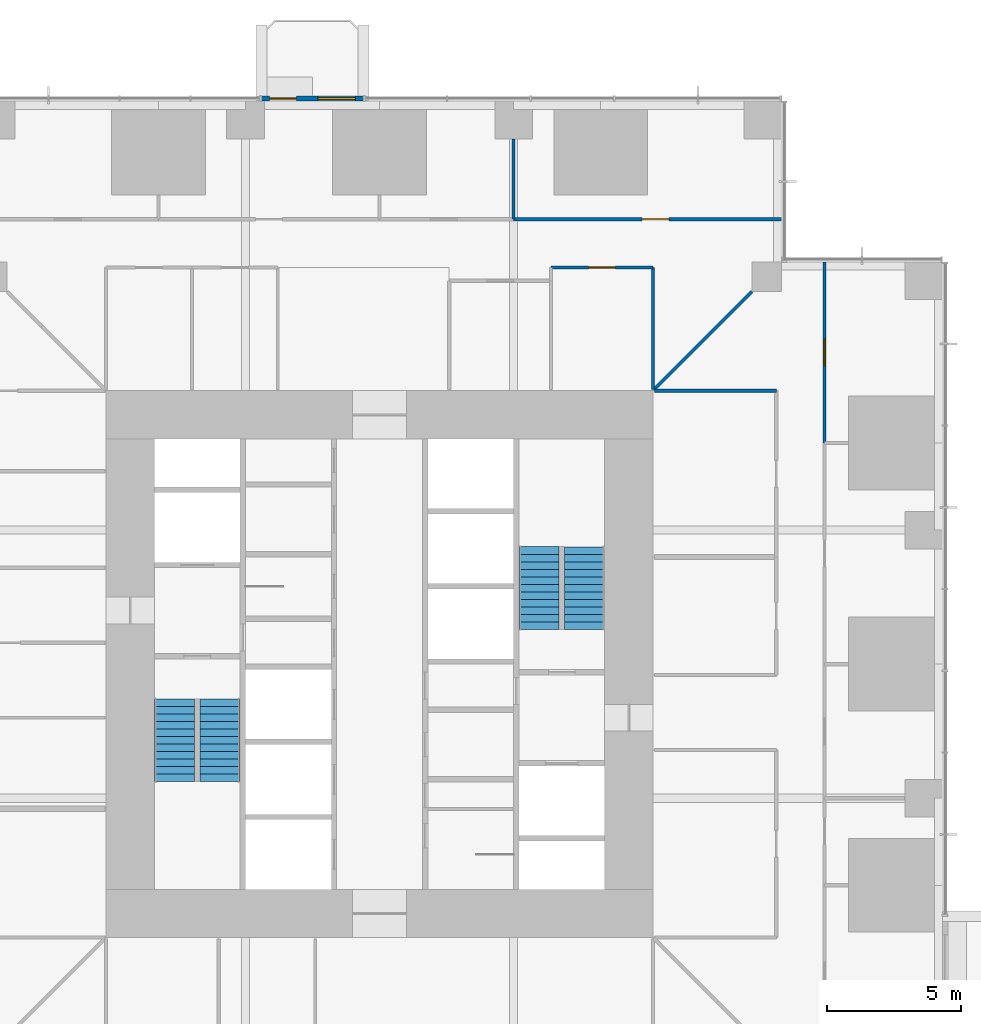
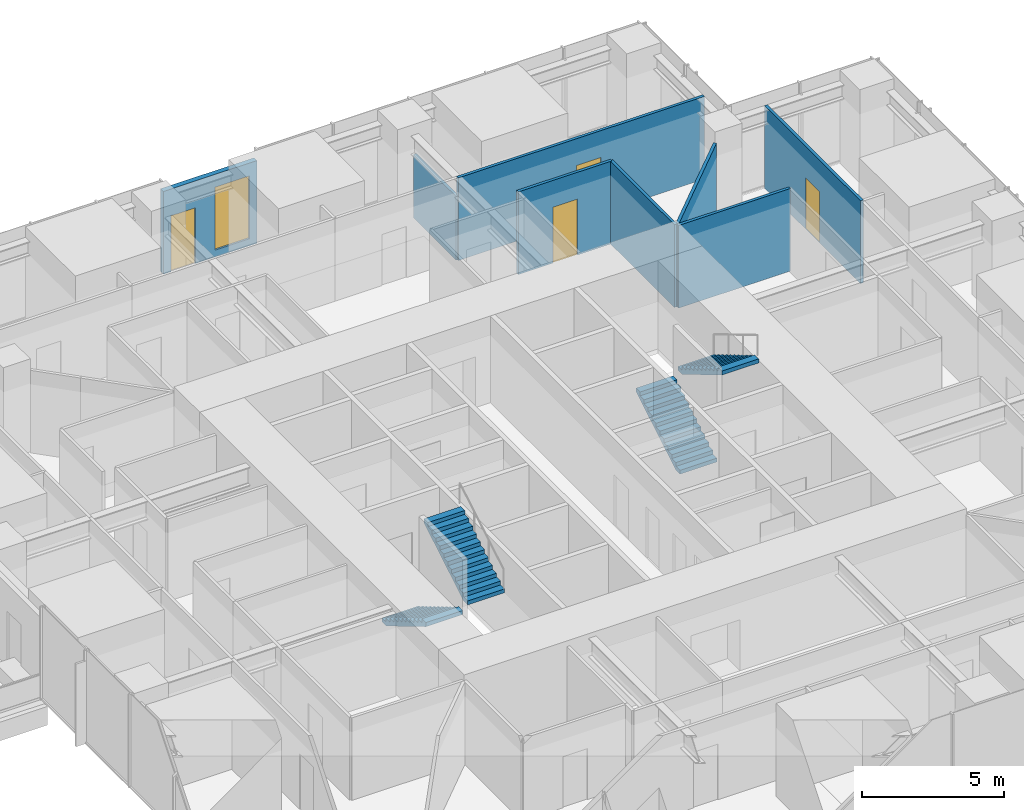
# One storey, part 13 of 17: 8 walls, 4 doors, 4 stair flights, 1 window, 5 openings, 2 elements without a shape of their own.
"""IFC4 building model written with IfcOpenShell, lengths in metres."""

from ifc_helpers import new_model, si_unit, direction, frame, frame_2d, origin, place, context, subcontext, project, spatial, polyline, rectangle, outline, extrude, material, layer, layer_set, type_object, element, fill, aggregate, save


model = new_model("IFC4")

# Units and contexts
model_context = context("Model", 3, precision=1e-05, world=origin(), true_north=direction((0.0, 1.0)))
body_context = subcontext(model_context, "Body", "Model", "MODEL_VIEW")
ifc_project = project(units=[si_unit("LENGTHUNIT", "METRE"), si_unit("AREAUNIT", "SQUARE_METRE"), si_unit("VOLUMEUNIT", "CUBIC_METRE"), si_unit("PLANEANGLEUNIT", "RADIAN"), si_unit("MASSUNIT", "GRAM", prefix="KILO")], contexts=[model_context])

# Site, building, storey
site_placement = place(None, origin())
site = spatial("IfcSite", under=ifc_project, at=site_placement, CompositionType="ELEMENT")
building_placement = place(site_placement, origin())
building = spatial("IfcBuilding", under=site, at=building_placement, Name="Svetlomir Tower", CompositionType="ELEMENT")
storey_placement = place(building_placement, frame((0.0, 0.0, 82.5)))
storey = spatial("IfcBuildingStorey", under=building, at=storey_placement, Name="L19", CompositionType="ELEMENT", Elevation=82.5)

# Wall, openings, door, window
ifc_material_1 = material(Name="Bronze anodised aluminium glazed screen", Category="aluminium")
ifc_layer_1 = layer(ifc_material_1, 0.199951171875)
ifc_layer_set_1 = layer_set([ifc_layer_1], Name="Bronze anodised aluminium glazed screen")
wall_type_1 = type_object("IfcWallType", Name="BALCONY SCREEN WALL 200", PredefinedType="USERDEFINED", material=ifc_layer_set_1)
wall_1_placement = place(storey_placement, frame((20.39990234375, 42.10009765625, 0.0), z_axis=(0.0, 0.0, 1.0), x_axis=(-1.0, 0.0, 0.0)))
wall_1 = element("IfcWall", 1, at=wall_1_placement, inside=storey, type_object=wall_type_1, Name="Balcony screen N", ObjectType="GLAZED SCREEN", PredefinedType="USERDEFINED", context=body_context, shape_type="SweptSolid", body=[
    extrude(rectangle(XDim=3.7998046875, YDim=0.199951171875, at=frame_2d((1.89990234375, 0.0))), origin(), (0.0, 0.0, 1.0), 3.550048828125),
])
opening_1_placement = place(wall_1_placement, frame((2.5, 0.0, 0.0)))
opening_1 = element("IfcOpeningElement", 2, at=opening_1_placement, cuts=wall_1, Name="Opening BD", PredefinedType="OPENING", context=body_context, shape_type="SweptSolid", body=[
    extrude(rectangle(XDim=1.0, YDim=2.39990234375, at=frame_2d((0.5, 1.199951171875))), frame((0.0, 0.10986328125, 0.0), z_axis=(0.0, -1.0, 0.0), x_axis=(1.0, 0.0, 0.0)), (0.0, 0.0, 1.0), 0.219970703125),
])
opening_2_placement = place(wall_1_placement, frame((0.300048828125, 0.0, 0.300048828125)))
opening_2 = element("IfcOpeningElement", 3, at=opening_2_placement, cuts=wall_1, Name="Opening WS2", PredefinedType="OPENING", context=body_context, shape_type="SweptSolid", body=[
    extrude(rectangle(XDim=1.39990234375, YDim=2.699951171875, at=frame_2d((0.699951171875, 1.35009765625))), frame((0.0, 0.10986328125, 0.0), z_axis=(0.0, -1.0, 0.0), x_axis=(1.0, 0.0, 0.0)), (0.0, 0.0, 1.0), 0.219970703125),
])
ifc_material_2 = material(Name="Bronze anodised aluminium glazed door", Category="aluminium")
door_type_1 = type_object("IfcDoorType", Name="BALCONY DOOR BD 1000x2400", OperationType="SINGLE_SWING_LEFT", PredefinedType="DOOR", material=ifc_material_2)
door_1_placement = place(opening_1_placement, origin())
door_1 = element("IfcDoor", 4, at=door_1_placement, inside=storey, type_object=door_type_1, Name="Balcony screen N door", OperationType="SINGLE_SWING_LEFT", OverallHeight=2.39990234375, OverallWidth=1.0, PredefinedType="DOOR", context=body_context, shape_type="SweptSolid", body=[
    extrude(rectangle(XDim=1.0, YDim=2.39990234375, at=frame_2d((0.5, 1.199951171875))), frame((0.0, 0.02490234375, 0.0), z_axis=(0.0, -1.0, 0.0), x_axis=(1.0, 0.0, 0.0)), (0.0, 0.0, 1.0), 0.050048828125),
])
fill(opening_1, door_1)
ifc_material_3 = material(Name="Bronze anodised aluminium window", Category="aluminium")
window_type = type_object("IfcWindowType", Name="SCREEN WINDOW WS2 1400x2700", PartitioningType="SINGLE_PANEL", PredefinedType="WINDOW", material=ifc_material_3)
window_placement = place(opening_2_placement, origin())
window = element("IfcWindow", 5, at=window_placement, inside=storey, type_object=window_type, Name="Balcony screen N window 1", OverallHeight=2.699951171875, OverallWidth=1.39990234375, PartitioningType="SINGLE_PANEL", PredefinedType="WINDOW", context=body_context, shape_type="SweptSolid", body=[
    extrude(rectangle(XDim=1.39990234375, YDim=2.699951171875, at=frame_2d((0.699951171875, 1.35009765625))), frame((0.0, 0.030029296875, 0.0), z_axis=(0.0, -1.0, 0.0), x_axis=(1.0, 0.0, 0.0)), (0.0, 0.0, 1.0), 0.06005859375),
])
fill(opening_2, window)

# Wall
ifc_material_4 = material(Name="Gypsum board on steel studs", Category="steel")
ifc_layer_2 = layer(ifc_material_4, 0.1201171875)
ifc_layer_set_2 = layer_set([ifc_layer_2], Name="Gypsum board on steel studs")
wall_type_2 = type_object("IfcWallType", Name="PARTITION 120", PredefinedType="PARTITIONING", material=ifc_layer_set_2)
wall_2_placement = place(storey_placement, frame((26.0, 37.60009765625, 0.0), z_axis=(0.0, 0.0, 1.0), x_axis=(0.0, 1.0, 0.0)))
element("IfcWall", 6, at=wall_2_placement, inside=storey, type_object=wall_type_2, Name="Partition L19", PredefinedType="PARTITIONING", context=body_context, shape_type="SweptSolid", body=[
    extrude(rectangle(XDim=2.989990234375, YDim=0.1201171875, at=frame_2d((1.4951171875, 0.0))), origin(), (0.0, 0.0, 1.0), 2.736083984375),
])

# Wall, opening, door
wall_3_placement = place(storey_placement, frame((26.0, 37.60009765625, 0.0), z_axis=(0.0, 0.0, 1.0), x_axis=(1.0, 0.0, 0.0)))
wall_3 = element("IfcWall", 7, at=wall_3_placement, inside=storey, type_object=wall_type_2, Name="Partition L19", PredefinedType="PARTITIONING", context=body_context, shape_type="SweptSolid", body=[
    extrude(rectangle(XDim=10.0, YDim=0.1201171875, at=frame_2d((5.0, 0.0))), origin(), (0.0, 0.0, 1.0), 3.550048828125),
])
opening_3_placement = place(wall_3_placement, frame((4.800048828125, 0.0, 0.0)))
opening_3 = element("IfcOpeningElement", 8, at=opening_3_placement, cuts=wall_3, Name="Opening DG", PredefinedType="OPENING", context=body_context, shape_type="SweptSolid", body=[
    extrude(rectangle(XDim=1.0, YDim=2.39990234375, at=frame_2d((0.5, 1.199951171875))), frame((0.0, 0.070068359375, 0.0), z_axis=(0.0, -1.0, 0.0), x_axis=(1.0, 0.0, 0.0)), (0.0, 0.0, 1.0), 0.14013671875),
])
ifc_material_5 = material(Name="Framed laminated glass door", Category="glass")
door_type_2 = type_object("IfcDoorType", Name="GLAZED DOOR DG 1000x2400", OperationType="SINGLE_SWING_LEFT", PredefinedType="DOOR", material=ifc_material_5)
door_2_placement = place(opening_3_placement, origin())
door_2 = element("IfcDoor", 9, at=door_2_placement, inside=storey, type_object=door_type_2, Name="Ring corridor 4 door 2 L19", OperationType="SINGLE_SWING_RIGHT", OverallHeight=2.39990234375, OverallWidth=1.0, PredefinedType="DOOR", context=body_context, shape_type="SweptSolid", body=[
    extrude(rectangle(XDim=1.0, YDim=2.39990234375, at=frame_2d((0.5, 1.199951171875))), frame((0.0, 0.02490234375, 0.0), z_axis=(0.0, -1.0, 0.0), x_axis=(1.0, 0.0, 0.0)), (0.0, 0.0, 1.0), 0.050048828125),
])
fill(opening_3, door_2)

wall_4_placement = place(storey_placement, frame((27.39990234375, 35.800048828125, 0.0), z_axis=(0.0, 0.0, 1.0), x_axis=(1.0, 0.0, 0.0)))
wall_4 = element("IfcWall", 10, at=wall_4_placement, inside=storey, type_object=wall_type_2, Name="Partition L19", PredefinedType="PARTITIONING", context=body_context, shape_type="SweptSolid", body=[
    extrude(rectangle(XDim=3.800048828125, YDim=0.1201171875, at=frame_2d((1.89990234375, 0.0))), origin(), (0.0, 0.0, 1.0), 3.550048828125),
])
opening_4_placement = place(wall_4_placement, frame((1.39990234375, 0.0, 0.0)))
opening_4 = element("IfcOpeningElement", 11, at=opening_4_placement, cuts=wall_4, Name="Opening DG", PredefinedType="OPENING", context=body_context, shape_type="SweptSolid", body=[
    extrude(rectangle(XDim=1.0, YDim=2.39990234375, at=frame_2d((0.5, 1.199951171875))), frame((0.0, 0.070068359375, 0.0), z_axis=(0.0, -1.0, 0.0), x_axis=(1.0, 0.0, 0.0)), (0.0, 0.0, 1.0), 0.14013671875),
])
door_3_placement = place(opening_4_placement, origin())
door_3 = element("IfcDoor", 12, at=door_3_placement, inside=storey, type_object=door_type_2, Name="Audit team room, 6 seats door L19", OperationType="SINGLE_SWING_RIGHT", OverallHeight=2.39990234375, OverallWidth=1.0, PredefinedType="DOOR", context=body_context, shape_type="SweptSolid", body=[
    extrude(rectangle(XDim=1.0, YDim=2.39990234375, at=frame_2d((0.5, 1.199951171875))), frame((0.0, 0.02490234375, 0.0), z_axis=(0.0, -1.0, 0.0), x_axis=(1.0, 0.0, 0.0)), (0.0, 0.0, 1.0), 0.050048828125),
])
fill(opening_4, door_3)

# Walls
wall_5_placement = place(storey_placement, frame((31.199951171875, 31.25, 0.0), z_axis=(0.0, 0.0, 1.0), x_axis=(0.0, 1.0, 0.0)))
element("IfcWall", 13, at=wall_5_placement, inside=storey, type_object=wall_type_2, Name="Partition L19", PredefinedType="PARTITIONING", context=body_context, shape_type="SweptSolid", body=[
    extrude(rectangle(XDim=4.550048828125, YDim=0.1201171875, at=frame_2d((2.27490234375, 0.0))), origin(), (0.0, 0.0, 1.0), 3.550048828125),
])
wall_6_placement = place(storey_placement, frame((31.2353515625, 31.2353515625, 0.0), z_axis=(0.0, 0.0, 1.0), x_axis=(0.707106781187, 0.707106781187, 0.0)))
element("IfcWall", 14, at=wall_6_placement, inside=storey, type_object=wall_type_2, Name="Partition L19", PredefinedType="PARTITIONING", context=body_context, shape_type="SweptSolid", body=[
    extrude(rectangle(XDim=5.168212890625, YDim=0.1201171875, at=frame_2d((2.583984375, 0.0))), origin(), (0.0, 0.0, 1.0), 3.550048828125),
])
wall_7_placement = place(storey_placement, frame((31.25, 31.199951171875, 0.0), z_axis=(0.0, 0.0, 1.0), x_axis=(1.0, 0.0, 0.0)))
element("IfcWall", 15, at=wall_7_placement, inside=storey, type_object=wall_type_2, Name="Partition L19", PredefinedType="PARTITIONING", context=body_context, shape_type="SweptSolid", body=[
    extrude(rectangle(XDim=4.550048828125, YDim=0.1201171875, at=frame_2d((2.27490234375, 0.0))), origin(), (0.0, 0.0, 1.0), 3.550048828125),
])

# Wall, opening, door
wall_8_placement = place(storey_placement, frame((37.60009765625, 29.25, 0.0), z_axis=(0.0, 0.0, 1.0), x_axis=(0.0, 1.0, 0.0)))
wall_8 = element("IfcWall", 16, at=wall_8_placement, inside=storey, type_object=wall_type_2, Name="Partition L19", PredefinedType="PARTITIONING", context=body_context, shape_type="SweptSolid", body=[
    extrude(rectangle(XDim=6.75, YDim=0.1201171875, at=frame_2d((3.375, 0.0))), origin(), (0.0, 0.0, 1.0), 3.550048828125),
])
opening_5_placement = place(wall_8_placement, frame((2.875, 0.0, 0.0)))
opening_5 = element("IfcOpeningElement", 17, at=opening_5_placement, cuts=wall_8, Name="Opening DR", PredefinedType="OPENING", context=body_context, shape_type="SweptSolid", body=[
    extrude(rectangle(XDim=1.0, YDim=2.199951171875, at=frame_2d((0.5, 1.10009765625))), frame((0.0, 0.070068359375, 0.0), z_axis=(0.0, -1.0, 0.0), x_axis=(1.0, 0.0, 0.0)), (0.0, 0.0, 1.0), 0.14013671875),
])
ifc_material_6 = material(Name="Timber door, glazed side light", Category="wood")
door_type_3 = type_object("IfcDoorType", Name="DOOR DR 1000x2200", OperationType="SINGLE_SWING_LEFT", PredefinedType="DOOR", material=ifc_material_6)
door_4_placement = place(opening_5_placement, origin())
door_4 = element("IfcDoor", 18, at=door_4_placement, inside=storey, type_object=door_type_3, Name="Chief audit executive office door L19", OperationType="SINGLE_SWING_LEFT", OverallHeight=2.199951171875, OverallWidth=1.0, PredefinedType="DOOR", context=body_context, shape_type="SweptSolid", body=[
    extrude(rectangle(XDim=1.0, YDim=2.199951171875, at=frame_2d((0.5, 1.10009765625))), frame((0.0, 0.02490234375, 0.0), z_axis=(0.0, -1.0, 0.0), x_axis=(1.0, 0.0, 0.0)), (0.0, 0.0, 1.0), 0.050048828125),
])
fill(opening_5, door_4)

# Stair, stair flights
ifc_material_7 = material(Name="Concrete C60/75", Category="concrete")
stair_type = type_object("IfcStairType", Name="EXIT STAIR 3200 RISE 4000", PredefinedType="HALF_TURN_STAIR", material=ifc_material_7)
stair_1_placement = place(storey_placement, origin())
stair_1 = element("IfcStair", 19, at=stair_1_placement, inside=storey, type_object=stair_type, Name="Stair S1 L19 to L20", PredefinedType="HALF_TURN_STAIR")
ifc_material_8 = material(Name="Concrete C60/75", Category="concrete")
stair_flight_type = type_object("IfcStairFlightType", Name="STAIR FLIGHT 1500 OF 12 RISERS", PredefinedType="STRAIGHT", material=ifc_material_8)
stair_flight_1_placement = place(storey_placement, frame((13.35009765625, 19.699951171875, 0.0), z_axis=(0.0, 0.0, 1.0), x_axis=(0.0, -1.0, 0.0)))
stair_flight_1 = element("IfcStairFlight", 20, at=stair_flight_1_placement, type_object=stair_flight_type, Name="S1 flight 1", NumberOfRisers=12, NumberOfTreads=11, PredefinedType="STRAIGHT", RiserHeight=0.166666667, TreadLength=0.28, context=body_context, shape_type="SweptSolid", body=[
    extrude(outline(polyline([(0.0, 0.0), (0.0, 0.166748046875), (0.280029296875, 0.166748046875), (0.280029296875, 0.333251953125), (0.56005859375, 0.333251953125), (0.56005859375, 0.5), (0.840087890625, 0.5), (0.840087890625, 0.666748046875), (1.1201171875, 0.666748046875), (1.1201171875, 0.833251953125), (1.39990234375, 0.833251953125), (1.39990234375, 1.0), (1.679931640625, 1.0), (1.679931640625, 1.166748046875), (1.9599609375, 1.166748046875), (1.9599609375, 1.333251953125), (2.239990234375, 1.333251953125), (2.239990234375, 1.5), (2.52001953125, 1.5), (2.52001953125, 1.666748046875), (2.800048828125, 1.666748046875), (2.800048828125, 1.833251953125), (3.080078125, 1.833251953125), (3.080078125, 2.0), (3.080078125, 1.658935546875), (0.29296875, 0.0), (0.0, 0.0)])), frame((0.0, 0.75, 0.0), z_axis=(0.0, -1.0, 0.0), x_axis=(1.0, 0.0, 0.0)), (0.0, 0.0, 1.0), 1.5),
])
stair_flight_2_placement = place(storey_placement, frame((15.050048828125, 16.6201171875, 2.0), z_axis=(0.0, 0.0, 1.0), x_axis=(0.0, 1.0, 0.0)))
stair_flight_2 = element("IfcStairFlight", 21, at=stair_flight_2_placement, type_object=stair_flight_type, Name="S1 flight 2", NumberOfRisers=12, NumberOfTreads=11, PredefinedType="STRAIGHT", RiserHeight=0.166666667, TreadLength=0.28, context=body_context, shape_type="SweptSolid", body=[
    extrude(outline(polyline([(0.0, 0.0), (0.0, 0.166748046875), (0.280029296875, 0.166748046875), (0.280029296875, 0.333251953125), (0.56005859375, 0.333251953125), (0.56005859375, 0.5), (0.840087890625, 0.5), (0.840087890625, 0.666748046875), (1.1201171875, 0.666748046875), (1.1201171875, 0.833251953125), (1.39990234375, 0.833251953125), (1.39990234375, 1.0), (1.679931640625, 1.0), (1.679931640625, 1.166748046875), (1.9599609375, 1.166748046875), (1.9599609375, 1.333251953125), (2.239990234375, 1.333251953125), (2.239990234375, 1.5), (2.52001953125, 1.5), (2.52001953125, 1.666748046875), (2.800048828125, 1.666748046875), (2.800048828125, 1.833251953125), (3.080078125, 1.833251953125), (3.080078125, 2.0), (3.080078125, 1.658935546875), (0.29296875, 0.0), (0.0, 0.0)])), frame((0.0, 0.75, 0.0), z_axis=(0.0, -1.0, 0.0), x_axis=(1.0, 0.0, 0.0)), (0.0, 0.0, 1.0), 1.5),
])
aggregate(stair_1, [stair_flight_1, stair_flight_2])

stair_2_placement = place(storey_placement, origin())
stair_2 = element("IfcStair", 22, at=stair_2_placement, inside=storey, type_object=stair_type, Name="Stair S2 L19 to L20", PredefinedType="HALF_TURN_STAIR")
stair_flight_3_placement = place(storey_placement, frame((26.949951171875, 22.300048828125, 0.0), z_axis=(0.0, 0.0, 1.0), x_axis=(0.0, 1.0, 0.0)))
stair_flight_3 = element("IfcStairFlight", 23, at=stair_flight_3_placement, type_object=stair_flight_type, Name="S2 flight 1", NumberOfRisers=12, NumberOfTreads=11, PredefinedType="STRAIGHT", RiserHeight=0.166666667, TreadLength=0.28, context=body_context, shape_type="SweptSolid", body=[
    extrude(outline(polyline([(0.0, 0.0), (0.0, 0.166748046875), (0.280029296875, 0.166748046875), (0.280029296875, 0.333251953125), (0.56005859375, 0.333251953125), (0.56005859375, 0.5), (0.840087890625, 0.5), (0.840087890625, 0.666748046875), (1.1201171875, 0.666748046875), (1.1201171875, 0.833251953125), (1.39990234375, 0.833251953125), (1.39990234375, 1.0), (1.679931640625, 1.0), (1.679931640625, 1.166748046875), (1.9599609375, 1.166748046875), (1.9599609375, 1.333251953125), (2.239990234375, 1.333251953125), (2.239990234375, 1.5), (2.52001953125, 1.5), (2.52001953125, 1.666748046875), (2.800048828125, 1.666748046875), (2.800048828125, 1.833251953125), (3.080078125, 1.833251953125), (3.080078125, 2.0), (3.080078125, 1.658935546875), (0.29296875, 0.0), (0.0, 0.0)])), frame((0.0, 0.75, 0.0), z_axis=(0.0, -1.0, 0.0), x_axis=(1.0, 0.0, 0.0)), (0.0, 0.0, 1.0), 1.5),
])
stair_flight_4_placement = place(storey_placement, frame((28.64990234375, 25.3798828125, 2.0), z_axis=(0.0, 0.0, 1.0), x_axis=(0.0, -1.0, 0.0)))
stair_flight_4 = element("IfcStairFlight", 24, at=stair_flight_4_placement, type_object=stair_flight_type, Name="S2 flight 2", NumberOfRisers=12, NumberOfTreads=11, PredefinedType="STRAIGHT", RiserHeight=0.166666667, TreadLength=0.28, context=body_context, shape_type="SweptSolid", body=[
    extrude(outline(polyline([(0.0, 0.0), (0.0, 0.166748046875), (0.280029296875, 0.166748046875), (0.280029296875, 0.333251953125), (0.56005859375, 0.333251953125), (0.56005859375, 0.5), (0.840087890625, 0.5), (0.840087890625, 0.666748046875), (1.1201171875, 0.666748046875), (1.1201171875, 0.833251953125), (1.39990234375, 0.833251953125), (1.39990234375, 1.0), (1.679931640625, 1.0), (1.679931640625, 1.166748046875), (1.9599609375, 1.166748046875), (1.9599609375, 1.333251953125), (2.239990234375, 1.333251953125), (2.239990234375, 1.5), (2.52001953125, 1.5), (2.52001953125, 1.666748046875), (2.800048828125, 1.666748046875), (2.800048828125, 1.833251953125), (3.080078125, 1.833251953125), (3.080078125, 2.0), (3.080078125, 1.658935546875), (0.29296875, 0.0), (0.0, 0.0)])), frame((0.0, 0.75, 0.0), z_axis=(0.0, -1.0, 0.0), x_axis=(1.0, 0.0, 0.0)), (0.0, 0.0, 1.0), 1.5),
])
aggregate(stair_2, [stair_flight_3, stair_flight_4])

save(model, "model.ifc")
